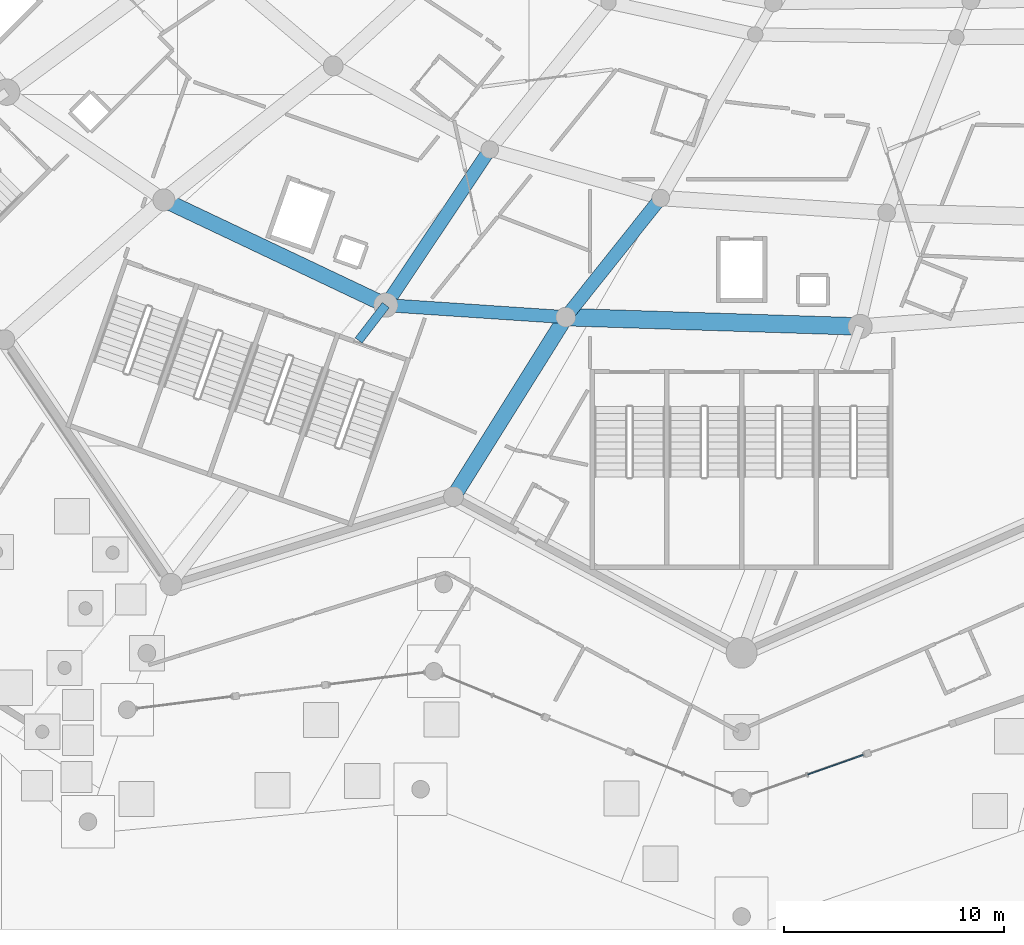
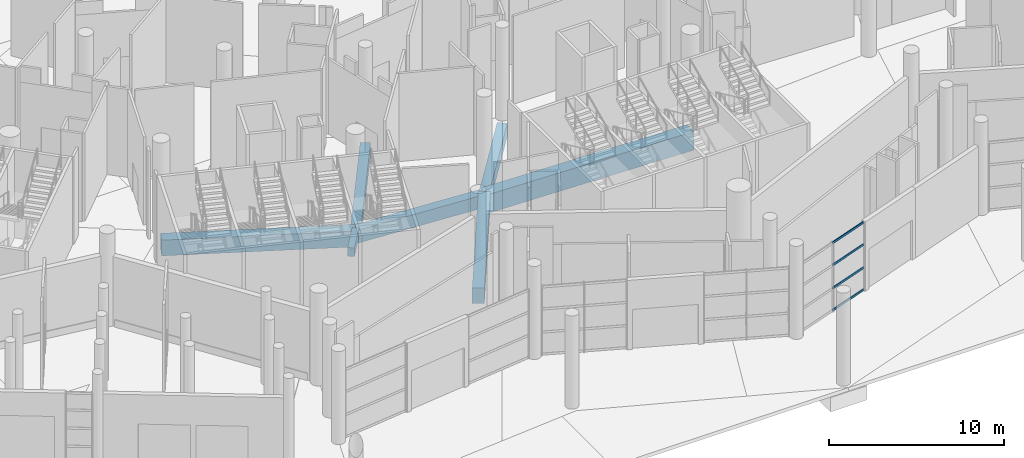
# One storey, part 20 of 255: 7 beams, 4 members, 1 element without a shape of its own.
"""IFC4 building model written with IfcOpenShell, lengths in metres."""

from ifc_helpers import new_model, si_unit, direction, frame, origin, origin_2d, place, context, subcontext, project, spatial, rectangle, extrude, material, layer, layer_set, material_profile, profile_set, type_object, element, aggregate, save


model = new_model("IFC4")

# Units and contexts
model_context = context("Model", 3, precision=1e-05, world=origin(), true_north=direction((0.0, 1.0)))
body_context = subcontext(model_context, "Body", "Model", "MODEL_VIEW")
ifc_project = project(units=[si_unit("LENGTHUNIT", "METRE"), si_unit("AREAUNIT", "SQUARE_METRE"), si_unit("VOLUMEUNIT", "CUBIC_METRE"), si_unit("PLANEANGLEUNIT", "RADIAN"), si_unit("MASSUNIT", "GRAM", prefix="KILO")], contexts=[model_context])

# Site, building, storey
site_placement = place(None, origin())
site = spatial("IfcSite", under=ifc_project, at=site_placement, CompositionType="ELEMENT")
building_placement = place(site_placement, origin())
building = spatial("IfcBuilding", under=site, at=building_placement, Name="Meseta Stadium", CompositionType="ELEMENT")
storey_placement = place(building_placement, origin())
storey = spatial("IfcBuildingStorey", under=building, at=storey_placement, Name="L00", CompositionType="ELEMENT", Elevation=0.0)

# Beams
ifc_material_1 = material(Name="Concrete C40/50", Category="concrete")
ifc_material_profile_1 = material_profile(ifc_material_1, rectangle(XDim=0.39990234375, YDim=0.60009765625, at=origin_2d()), Name="RC 400x600")
ifc_profile_set_1 = profile_set([ifc_material_profile_1], Name="Concrete C40/50")
beam_type_1 = type_object("IfcBeamType", Name="RC beam 400x600", PredefinedType="BEAM", material=ifc_profile_set_1)
beam_1_placement = place(storey_placement, frame((-54.523193359375, -89.579345703125, -0.699951171875), z_axis=(-0.60958282029, -0.792722388486, 0.0), x_axis=(0.792722388486, -0.60958282029, 0.0)))
element("IfcBeam", 1, at=beam_1_placement, inside=storey, type_object=beam_type_1, Name="L00 radial beam frame 42 line P to R", PredefinedType="BEAM", context=body_context, shape_type="SweptSolid", body=[
    extrude(rectangle(XDim=0.39990234375, YDim=0.60009765625, at=origin_2d()), origin(), (0.0, 0.0, 1.0), 2.029052734375),
])
ifc_material_2 = material(Name="Concrete C40/50", Category="concrete")
ifc_material_profile_2 = material_profile(ifc_material_2, rectangle(XDim=0.60009765625, YDim=0.89990234375, at=origin_2d()), Name="RC 600x900")
ifc_profile_set_2 = profile_set([ifc_material_profile_2], Name="Concrete C40/50")
beam_type_2 = type_object("IfcBeamType", Name="RC beam 600x900", PredefinedType="BEAM", material=ifc_profile_set_2)
beam_2_placement = place(storey_placement, frame((-54.523193359375, -89.579345703125, -0.85009765625), z_axis=(0.997778045289, -0.066625613231, 0.0), x_axis=(0.066625613231, 0.997778045289, 0.0)))
element("IfcBeam", 2, at=beam_2_placement, inside=storey, type_object=beam_type_2, Name="L00 ring beam frame 42 line P", PredefinedType="BEAM", context=body_context, shape_type="SweptSolid", body=[
    extrude(rectangle(XDim=0.60009765625, YDim=0.89990234375, at=origin_2d()), origin(), (0.0, 0.0, 1.0), 8.208251953125),
])
beam_3_placement = place(storey_placement, frame((-49.791015625, -82.498779296875, -0.85009765625), z_axis=(-0.555659080942, -0.831410239152, 0.0), x_axis=(0.831410239152, -0.555659080942, 0.0)))
element("IfcBeam", 3, at=beam_3_placement, inside=storey, type_object=beam_type_2, Name="L00 radial beam frame 42 line E to P", PredefinedType="BEAM", context=body_context, shape_type="SweptSolid", body=[
    extrude(rectangle(XDim=0.60009765625, YDim=0.89990234375, at=origin_2d()), origin(), (0.0, 0.0, 1.0), 8.516357421875),
])
beam_4_placement = place(storey_placement, frame((-42.015380859375, -84.707275390625, -0.85009765625), z_axis=(-0.623172725644, -0.782084237159, 0.0), x_axis=(0.782084237159, -0.623172725644, 0.0)))
element("IfcBeam", 4, at=beam_4_placement, inside=storey, type_object=beam_type_2, Name="L00 radial beam frame 43 line E to P", PredefinedType="BEAM", context=body_context, shape_type="SweptSolid", body=[
    extrude(rectangle(XDim=0.60009765625, YDim=0.89990234375, at=origin_2d()), origin(), (0.0, 0.0, 1.0), 6.928955078125),
])
ifc_material_3 = material(Name="Concrete C40/50", Category="concrete")
ifc_material_profile_3 = material_profile(ifc_material_3, rectangle(XDim=0.699951171875, YDim=1.10009765625, at=origin_2d()), Name="RC 700x1100")
ifc_profile_set_3 = profile_set([ifc_material_profile_3], Name="Concrete C40/50")
beam_type_3 = type_object("IfcBeamType", Name="RC beam 700x1100", PredefinedType="BEAM", material=ifc_profile_set_3)
beam_5_placement = place(storey_placement, frame((-64.6220703125, -84.79248046875, -0.949951171875), z_axis=(0.903627495473, -0.428319214402, 0.0), x_axis=(0.428319214402, 0.903627495473, 0.0)))
element("IfcBeam", 5, at=beam_5_placement, inside=storey, type_object=beam_type_3, Name="L00 ring beam frame 41 line P", PredefinedType="BEAM", context=body_context, shape_type="SweptSolid", body=[
    extrude(rectangle(XDim=0.699951171875, YDim=1.10009765625, at=origin_2d()), origin(), (0.0, 0.0, 1.0), 11.176025390625),
])
beam_6_placement = place(storey_placement, frame((-46.333251953125, -90.126220703125, -0.949951171875), z_axis=(-0.530224433937, -0.847857328597, 0.0), x_axis=(0.847857328597, -0.530224433937, 0.0)))
element("IfcBeam", 6, at=beam_6_placement, inside=storey, type_object=beam_type_3, Name="L00 radial beam frame 43 line P to R", PredefinedType="BEAM", context=body_context, shape_type="SweptSolid", body=[
    extrude(rectangle(XDim=0.699951171875, YDim=1.10009765625, at=origin_2d()), origin(), (0.0, 0.0, 1.0), 9.634033203125),
])
ifc_material_4 = material(Name="Concrete C40/50", Category="concrete")
ifc_material_profile_4 = material_profile(ifc_material_4, rectangle(XDim=0.800048828125, YDim=1.300048828125, at=origin_2d()), Name="RC 800x1300")
ifc_profile_set_4 = profile_set([ifc_material_profile_4], Name="Concrete C40/50")
beam_type_4 = type_object("IfcBeamType", Name="RC beam 800x1300", PredefinedType="BEAM", material=ifc_profile_set_4)
beam_7_placement = place(storey_placement, frame((-46.333251953125, -90.126220703125, -1.050048828125), z_axis=(0.999497062289, -0.031711551154, 0.0), x_axis=(0.031711551154, 0.999497062289, 0.0)))
element("IfcBeam", 7, at=beam_7_placement, inside=storey, type_object=beam_type_4, Name="L00 ring beam frame 43 line P", PredefinedType="BEAM", context=body_context, shape_type="SweptSolid", body=[
    extrude(rectangle(XDim=0.800048828125, YDim=1.300048828125, at=origin_2d()), origin(), (0.0, 0.0, 1.0), 13.39599609375),
])

# Curtain wall, members
ifc_material_5 = material(Name="Aluminium", Category="aluminium")
ifc_layer = layer(ifc_material_5, 0.199951171875)
ifc_layer_set = layer_set([ifc_layer], Name="Ring shopfront curtain wall")
curtain_wall_type = type_object("IfcCurtainWallType", Name="Ring shopfront curtain wall", PredefinedType="NOTDEFINED", material=ifc_layer_set)
curtain_wall_placement = place(storey_placement, origin())
curtain_wall = element("IfcCurtainWall", 8, at=curtain_wall_placement, inside=storey, type_object=curtain_wall_type, Name="Shopfront glazing F44a", PredefinedType="NOTDEFINED")
ifc_material_6 = material(Name="Aluminium", Category="aluminium")
ifc_material_profile_5 = material_profile(ifc_material_6, rectangle(XDim=0.06005859375, YDim=0.14990234375, at=origin_2d()), Name="CW 60x150")
ifc_profile_set_5 = profile_set([ifc_material_profile_5], Name="Aluminium")
member_type = type_object("IfcMemberType", Name="Ring CW transom 60x150", PredefinedType="USERDEFINED", material=ifc_profile_set_5)
member_1_placement = place(storey_placement, frame((-35.320556640625, -110.93896484375, 0.074951171875), z_axis=(0.943226073385, 0.332151433063, 0.0), x_axis=(-0.332151433063, 0.943226073385, 0.0)))
member_1 = element("IfcMember", 9, at=member_1_placement, type_object=member_type, Name="CWR1 transom 2.1", ObjectType="TRANSOM", PredefinedType="USERDEFINED", context=body_context, shape_type="SweptSolid", body=[
    extrude(rectangle(XDim=0.06005859375, YDim=0.14990234375, at=origin_2d()), origin(), (0.0, 0.0, 1.0), 2.674072265625),
])
member_2_placement = place(storey_placement, frame((-35.320556640625, -110.93896484375, 1.61669921875), z_axis=(0.943226073385, 0.332151433063, 0.0), x_axis=(-0.332151433063, 0.943226073385, 0.0)))
member_2 = element("IfcMember", 10, at=member_2_placement, type_object=member_type, Name="CWR1 transom 2.2", ObjectType="TRANSOM", PredefinedType="USERDEFINED", context=body_context, shape_type="SweptSolid", body=[
    extrude(rectangle(XDim=0.06005859375, YDim=0.14990234375, at=origin_2d()), origin(), (0.0, 0.0, 1.0), 2.674072265625),
])
member_3_placement = place(storey_placement, frame((-35.320556640625, -110.93896484375, 3.2333984375), z_axis=(0.943226073385, 0.332151433063, 0.0), x_axis=(-0.332151433063, 0.943226073385, 0.0)))
member_3 = element("IfcMember", 11, at=member_3_placement, type_object=member_type, Name="CWR1 transom 2.3", ObjectType="TRANSOM", PredefinedType="USERDEFINED", context=body_context, shape_type="SweptSolid", body=[
    extrude(rectangle(XDim=0.06005859375, YDim=0.14990234375, at=origin_2d()), origin(), (0.0, 0.0, 1.0), 2.674072265625),
])
member_4_placement = place(storey_placement, frame((-35.320556640625, -110.93896484375, 4.77490234375), z_axis=(0.943226073385, 0.332151433063, 0.0), x_axis=(-0.332151433063, 0.943226073385, 0.0)))
member_4 = element("IfcMember", 12, at=member_4_placement, type_object=member_type, Name="CWR1 transom 2.4", ObjectType="TRANSOM", PredefinedType="USERDEFINED", context=body_context, shape_type="SweptSolid", body=[
    extrude(rectangle(XDim=0.06005859375, YDim=0.14990234375, at=origin_2d()), origin(), (0.0, 0.0, 1.0), 2.674072265625),
])
aggregate(curtain_wall, [member_1, member_2, member_3, member_4])

save(model, "model.ifc")
